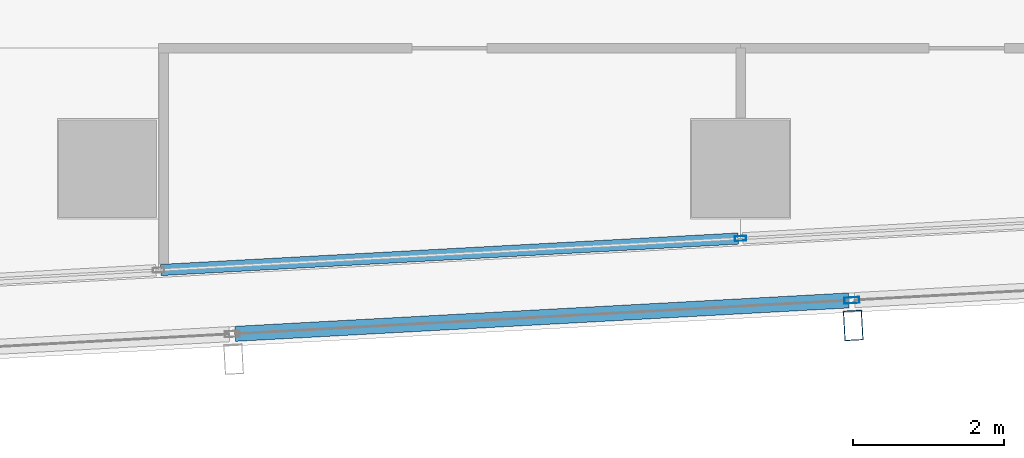
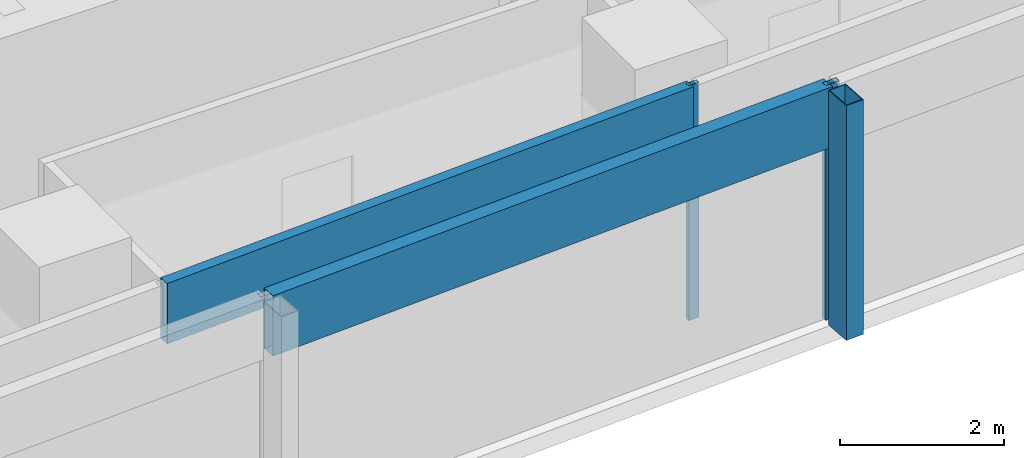
# One storey, part 10 of 29: 5 members, 2 elements without a shape of their own.
"""IFC4 building model written with IfcOpenShell, lengths in metres."""

from ifc_helpers import new_model, si_unit, direction, frame, origin, origin_2d, place, context, subcontext, project, spatial, hollow_rectangle, extrude, material, material_profile, profile_set, type_object, element, aggregate, save


model = new_model("IFC4")

# Units and contexts
model_context = context("Model", 3, precision=1e-05, world=origin(), true_north=direction((0.0, 1.0)))
body_context = subcontext(model_context, "Body", "Model", "MODEL_VIEW")
ifc_project = project(units=[si_unit("LENGTHUNIT", "METRE"), si_unit("AREAUNIT", "SQUARE_METRE"), si_unit("VOLUMEUNIT", "CUBIC_METRE"), si_unit("PLANEANGLEUNIT", "RADIAN"), si_unit("MASSUNIT", "GRAM", prefix="KILO")], contexts=[model_context])

# Site, building, storey
site_placement = place(None, origin())
site = spatial("IfcSite", under=ifc_project, at=site_placement, CompositionType="ELEMENT")
building_placement = place(site_placement, origin())
building = spatial("IfcBuilding", under=site, at=building_placement, Name="Rekha Terrace Tower", CompositionType="ELEMENT")
storey_placement = place(building_placement, frame((0.0, 0.0, 257.60009765625)))
storey = spatial("IfcBuildingStorey", under=building, at=storey_placement, Name="L65", CompositionType="ELEMENT", Elevation=257.60009765625)

# Curtain wall, member
ifc_material_1 = material(Name="Aluminium framing", Category="aluminium")
curtain_wall_type_1 = type_object("IfcCurtainWallType", Name="CW2 double skin outer glazing", PredefinedType="USERDEFINED", material=ifc_material_1)
curtain_wall_1_placement = place(storey_placement, origin())
curtain_wall_1 = element("IfcCurtainWall", 1, at=curtain_wall_1_placement, inside=storey, type_object=curtain_wall_type_1, Name="CW2 double skin outer glazing", ObjectType="DOUBLE SKIN OUTER GLAZING", PredefinedType="USERDEFINED")
ifc_material_2 = material(Name="Steel S355 with fluorocarbon finish", Category="steel")
ifc_material_profile_1 = material_profile(ifc_material_2, hollow_rectangle(XDim=0.25, YDim=0.39990234375, WallThickness=0.012451171875, at=origin_2d()), Name="RHS400x250x12.5")
ifc_profile_set_1 = profile_set([ifc_material_profile_1], Name="Steel S355 with fluorocarbon finish")
member_type_1 = type_object("IfcMemberType", Name="BL1 facade blade RHS 400 x 250", PredefinedType="USERDEFINED", material=ifc_profile_set_1)
member_1_placement = place(storey_placement, frame((51.894775390625, 14.719482421875, 0.0), z_axis=(0.0, 0.0, 1.0), x_axis=(0.99851982155, 0.054389024366, 0.0)))
member_1 = element("IfcMember", 2, at=member_1_placement, type_object=member_type_1, Name="Facade blade", ObjectType="FACADE BLADE", PredefinedType="USERDEFINED", context=body_context, shape_type="SweptSolid", body=[
    extrude(hollow_rectangle(XDim=0.25, YDim=0.39990234375, WallThickness=0.012451171875, at=origin_2d()), origin(), (0.0, 0.0, 1.0), 3.5),
])

# Curtain wall, members
curtain_wall_type_2 = type_object("IfcCurtainWallType", Name="CW1 double skin inner glazing", PredefinedType="USERDEFINED", material=ifc_material_1)
curtain_wall_2_placement = place(storey_placement, origin())
curtain_wall_2 = element("IfcCurtainWall", 3, at=curtain_wall_2_placement, inside=storey, type_object=curtain_wall_type_2, Name="CW1 double skin inner glazing", ObjectType="DOUBLE SKIN INNER GLAZING", PredefinedType="USERDEFINED")
ifc_material_3 = material(Name="Aluminium mullion section", Category="aluminium")
ifc_material_profile_2 = material_profile(ifc_material_3, hollow_rectangle(XDim=0.06494140625, YDim=0.14990234375, WallThickness=0.00390625, at=origin_2d()), Name="AL RHS 65x150")
ifc_profile_set_2 = profile_set([ifc_material_profile_2], Name="Aluminium mullion section")
member_type_2 = type_object("IfcMemberType", Name="CW1 mullion RHS 65 x 150", PredefinedType="MULLION", material=ifc_profile_set_2)
member_2_placement = place(storey_placement, frame((50.399169921875, 15.875, 0.0), z_axis=(0.0, 0.0, 1.0), x_axis=(-0.054388903036, 0.998519828159, 0.0)))
member_2 = element("IfcMember", 4, at=member_2_placement, type_object=member_type_2, Name="CW1 mullion 4", PredefinedType="MULLION", context=body_context, shape_type="SweptSolid", body=[
    extrude(hollow_rectangle(XDim=0.06494140625, YDim=0.14990234375, WallThickness=0.00390625, at=origin_2d()), origin(), (0.0, 0.0, 1.0), 3.5),
])
ifc_material_4 = material(Name="Insulated aluminium spandrel box", Category="aluminium")
ifc_material_profile_3 = material_profile(ifc_material_4, hollow_rectangle(XDim=0.14990234375, YDim=0.89990234375, WallThickness=0.0029296875, at=origin_2d()), Name="AL SPANDREL BOX 150x900")
ifc_profile_set_3 = profile_set([ifc_material_profile_3], Name="Insulated aluminium spandrel box")
member_type_3 = type_object("IfcMemberType", Name="CW1 spandrel transom 150 x 900", PredefinedType="USERDEFINED", material=ifc_profile_set_3)
member_3_placement = place(storey_placement, frame((42.7060546875, 15.4560546875, 3.0498046875), z_axis=(0.998520078442, 0.054384307925, 0.0), x_axis=(-0.054384307925, 0.998520078442, 0.0)))
member_3 = element("IfcMember", 5, at=member_3_placement, type_object=member_type_3, Name="CW1 spandrel transom 3", ObjectType="TRANSOM", PredefinedType="USERDEFINED", context=body_context, shape_type="SweptSolid", body=[
    extrude(hollow_rectangle(XDim=0.14990234375, YDim=0.89990234375, WallThickness=0.0029296875, at=origin_2d()), origin(), (0.0, 0.0, 1.0), 7.672119140625),
])
aggregate(curtain_wall_2, [member_2, member_3])

# Member
ifc_material_profile_4 = material_profile(ifc_material_3, hollow_rectangle(XDim=0.080078125, YDim=0.199951171875, WallThickness=0.00390625, at=origin_2d()), Name="AL RHS 80x200")
ifc_profile_set_4 = profile_set([ifc_material_profile_4], Name="Aluminium mullion section")
member_type_4 = type_object("IfcMemberType", Name="CW2 mullion RHS 80 x 200", PredefinedType="MULLION", material=ifc_profile_set_4)
member_4_placement = place(storey_placement, frame((51.87646484375, 15.05419921875, 0.0), z_axis=(0.0, 0.0, 1.0), x_axis=(-0.054388903071, 0.998519828157, 0.0)))
member_4 = element("IfcMember", 6, at=member_4_placement, type_object=member_type_4, Name="CW2 mullion 4", PredefinedType="MULLION", context=body_context, shape_type="SweptSolid", body=[
    extrude(hollow_rectangle(XDim=0.080078125, YDim=0.199951171875, WallThickness=0.00390625, at=origin_2d()), origin(), (0.0, 0.0, 1.0), 3.5),
])

ifc_material_profile_5 = material_profile(ifc_material_4, hollow_rectangle(XDim=0.199951171875, YDim=0.89990234375, WallThickness=0.0029296875, at=origin_2d()), Name="AL SPANDREL BOX 200x900")
ifc_profile_set_5 = profile_set([ifc_material_profile_5], Name="Insulated aluminium spandrel box")
member_type_5 = type_object("IfcMemberType", Name="CW2 spandrel transom 200 x 900", PredefinedType="USERDEFINED", material=ifc_profile_set_5)
member_5_placement = place(storey_placement, frame((43.693115234375, 14.6083984375, 3.0498046875), z_axis=(0.998519642092, 0.054392318914, 0.0), x_axis=(-0.054392318914, 0.998519642092, 0.0)))
member_5 = element("IfcMember", 7, at=member_5_placement, type_object=member_type_5, Name="CW2 spandrel transom 3", ObjectType="TRANSOM", PredefinedType="USERDEFINED", context=body_context, shape_type="SweptSolid", body=[
    extrude(hollow_rectangle(XDim=0.199951171875, YDim=0.89990234375, WallThickness=0.0029296875, at=origin_2d()), origin(), (0.0, 0.0, 1.0), 8.155517578125),
])

aggregate(curtain_wall_1, [member_4, member_5, member_1])

save(model, "model.ifc")
